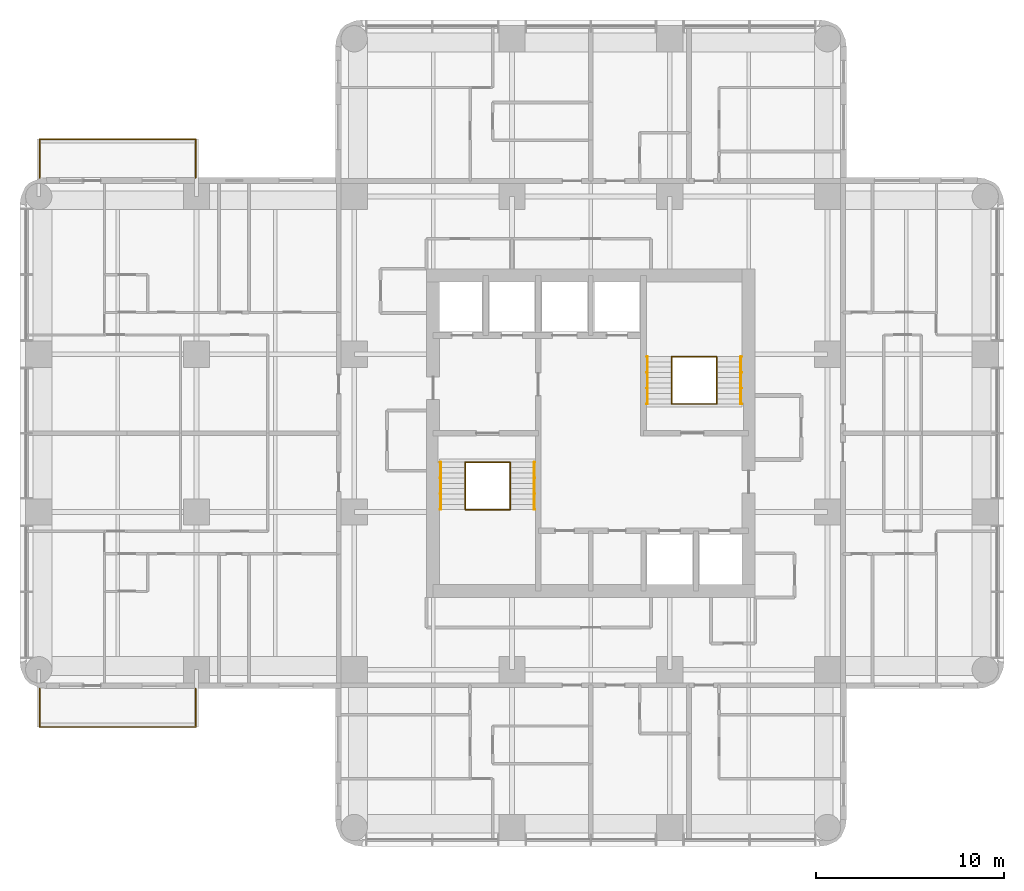
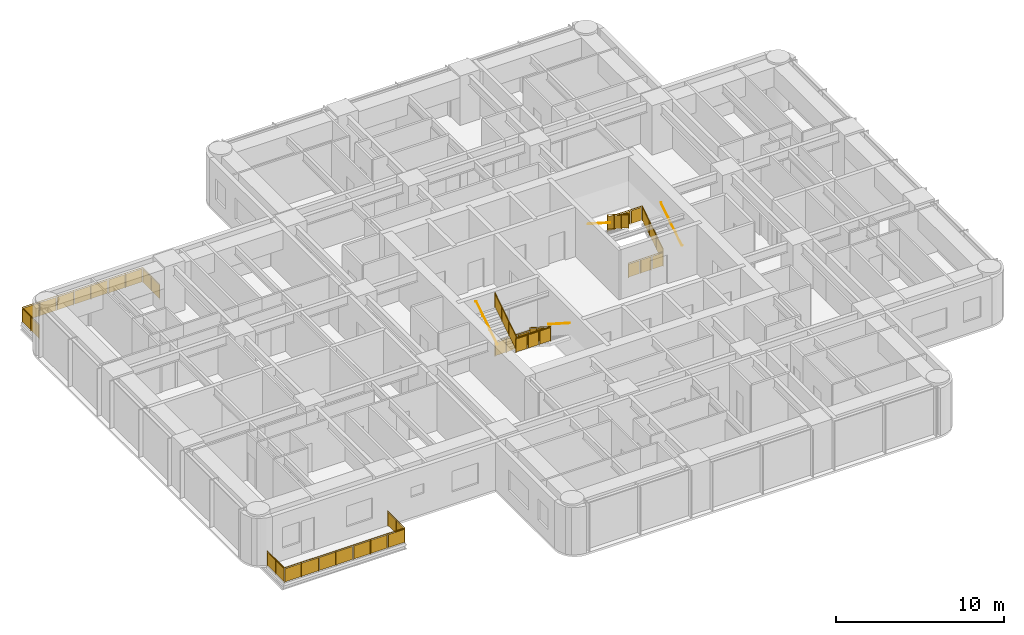
# One storey, part 11 of 11: 14 railings.
"""IFC4 building model written with IfcOpenShell, lengths in metres."""

from ifc_helpers import new_model, si_unit, direction, frame, origin, origin_2d, place, context, subcontext, project, spatial, polyline, circle, outline, extrude, material, constituent, constituent_set, type_object, element, save


model = new_model("IFC4")

# Units and contexts
model_context = context("Model", 3, precision=1e-05, world=origin(), true_north=direction((0.0, 1.0)))
body_context = subcontext(model_context, "Body", "Model", "MODEL_VIEW")
ifc_project = project(units=[si_unit("LENGTHUNIT", "METRE"), si_unit("AREAUNIT", "SQUARE_METRE"), si_unit("VOLUMEUNIT", "CUBIC_METRE"), si_unit("PLANEANGLEUNIT", "RADIAN"), si_unit("MASSUNIT", "GRAM", prefix="KILO")], contexts=[model_context])

# Site, building, storey
site_placement = place(None, origin())
site = spatial("IfcSite", under=ifc_project, at=site_placement, CompositionType="ELEMENT")
building_placement = place(site_placement, origin())
building = spatial("IfcBuilding", under=site, at=building_placement, Name="Torre Alcanfor", CompositionType="ELEMENT")
storey_placement = place(building_placement, frame((0.0, 0.0, 201.300048828125)))
storey = spatial("IfcBuildingStorey", under=building, at=storey_placement, Name="L52", CompositionType="ELEMENT", Elevation=201.300048828125)

# Railings
ifc_material_1 = material(Name="Laminated safety glass", Category="glass")
ifc_constituent_1 = constituent(ifc_material_1, Name="Infill")
ifc_material_2 = material(Name="Stainless steel ASTM A554 Grade MT 316L tube", Category="steel")
ifc_constituent_2 = constituent(ifc_material_2, Name="Posts and rail")
ifc_constituent_set = constituent_set(constituents=[ifc_constituent_1, ifc_constituent_2], Name="Balcony guard glass 1100")
railing_type_1 = type_object("IfcRailingType", Name="Balcony guard glass 1100", PredefinedType="BALUSTRADE", material=ifc_constituent_set)
railing_1_placement = place(storey_placement, frame((8.35009765625, 15.800048828125, 0.0)))
element("IfcRailing", 1, at=railing_1_placement, inside=storey, type_object=railing_type_1, Name="Balcony guard L52-W1", PredefinedType="BALUSTRADE", context=body_context, shape_type="SweptSolid", body=[
    extrude(circle(Radius=0.02392578125, at=origin_2d()), frame((0.0, 0.0, 1.076171875), z_axis=(0.0, -1.0, 0.0), x_axis=(1.0, 0.0, 0.0)), (0.0, 0.0, 1.0), 2.050048828125),
    extrude(circle(Radius=0.02392578125, at=origin_2d()), frame((0.0, -2.050048828125, 1.076171875), z_axis=(-1.0, 0.0, 0.0), x_axis=(0.0, -1.0, 0.0)), (0.0, 0.0, 1.0), 8.300048828125),
    extrude(circle(Radius=0.02392578125, at=origin_2d()), frame((-8.300048828125, -2.050048828125, 1.076171875), z_axis=(0.0, 1.0, 0.0), x_axis=(-1.0, 0.0, 0.0)), (0.0, 0.0, 1.0), 2.050048828125),
    extrude(circle(Radius=0.02099609375, at=origin_2d()), origin(), (0.0, 0.0, 1.0), 1.052001953125),
    extrude(circle(Radius=0.02099609375, at=origin_2d()), frame((0.0, -1.02490234375, 0.0)), (0.0, 0.0, 1.0), 1.052001953125),
    extrude(circle(Radius=0.02099609375, at=origin_2d()), frame((0.0, -2.050048828125, 0.0)), (0.0, 0.0, 1.0), 1.052001953125),
    extrude(circle(Radius=0.02099609375, at=origin_2d()), frame((-1.185791015625, -2.050048828125, 0.0)), (0.0, 0.0, 1.0), 1.052001953125),
    extrude(circle(Radius=0.02099609375, at=origin_2d()), frame((-2.371337890625, -2.050048828125, 0.0)), (0.0, 0.0, 1.0), 1.052001953125),
    extrude(circle(Radius=0.02099609375, at=origin_2d()), frame((-3.55712890625, -2.050048828125, 0.0)), (0.0, 0.0, 1.0), 1.052001953125),
    extrude(circle(Radius=0.02099609375, at=origin_2d()), frame((-4.742919921875, -2.050048828125, 0.0)), (0.0, 0.0, 1.0), 1.052001953125),
    extrude(circle(Radius=0.02099609375, at=origin_2d()), frame((-5.9287109375, -2.050048828125, 0.0)), (0.0, 0.0, 1.0), 1.052001953125),
    extrude(circle(Radius=0.02099609375, at=origin_2d()), frame((-7.1142578125, -2.050048828125, 0.0)), (0.0, 0.0, 1.0), 1.052001953125),
    extrude(circle(Radius=0.02099609375, at=origin_2d()), frame((-8.300048828125, -2.050048828125, 0.0)), (0.0, 0.0, 1.0), 1.052001953125),
    extrude(circle(Radius=0.02099609375, at=origin_2d()), frame((-8.300048828125, -1.02490234375, 0.0)), (0.0, 0.0, 1.0), 1.052001953125),
    extrude(circle(Radius=0.02099609375, at=origin_2d()), frame((-8.300048828125, 0.0, 0.0)), (0.0, 0.0, 1.0), 1.052001953125),
    extrude(outline(polyline([(0.041015625, 0.050048828125), (0.984130859375, 0.050048828125), (0.984130859375, 1.001953125), (0.041015625, 1.001953125), (0.041015625, 0.050048828125)])), frame((0.005859375, 0.0, 0.0), z_axis=(-1.0, 0.0, 0.0), x_axis=(0.0, -1.0, 0.0)), (0.0, 0.0, 1.0), 0.011962890625),
    extrude(outline(polyline([(1.06591796875, 0.050048828125), (2.009033203125, 0.050048828125), (2.009033203125, 1.001953125), (1.06591796875, 1.001953125), (1.06591796875, 0.050048828125)])), frame((0.005859375, 0.0, 0.0), z_axis=(-1.0, 0.0, 0.0), x_axis=(0.0, -1.0, 0.0)), (0.0, 0.0, 1.0), 0.011962890625),
    extrude(outline(polyline([(0.041015625, 0.050048828125), (1.144775390625, 0.050048828125), (1.144775390625, 1.001953125), (0.041015625, 1.001953125), (0.041015625, 0.050048828125)])), frame((0.0, -2.05615234375, 0.0), z_axis=(0.0, 1.0, 0.0), x_axis=(-1.0, 0.0, 0.0)), (0.0, 0.0, 1.0), 0.011962890625),
    extrude(outline(polyline([(1.226806640625, 0.050048828125), (2.330322265625, 0.050048828125), (2.330322265625, 1.001953125), (1.226806640625, 1.001953125), (1.226806640625, 0.050048828125)])), frame((0.0, -2.05615234375, 0.0), z_axis=(0.0, 1.0, 0.0), x_axis=(-1.0, 0.0, 0.0)), (0.0, 0.0, 1.0), 0.011962890625),
    extrude(outline(polyline([(2.412353515625, 0.050048828125), (3.51611328125, 0.050048828125), (3.51611328125, 1.001953125), (2.412353515625, 1.001953125), (2.412353515625, 0.050048828125)])), frame((0.0, -2.05615234375, 0.0), z_axis=(0.0, 1.0, 0.0), x_axis=(-1.0, 0.0, 0.0)), (0.0, 0.0, 1.0), 0.011962890625),
    extrude(outline(polyline([(3.59814453125, 0.050048828125), (4.701904296875, 0.050048828125), (4.701904296875, 1.001953125), (3.59814453125, 1.001953125), (3.59814453125, 0.050048828125)])), frame((0.0, -2.05615234375, 0.0), z_axis=(0.0, 1.0, 0.0), x_axis=(-1.0, 0.0, 0.0)), (0.0, 0.0, 1.0), 0.011962890625),
    extrude(outline(polyline([(4.783935546875, 0.050048828125), (5.8876953125, 0.050048828125), (5.8876953125, 1.001953125), (4.783935546875, 1.001953125), (4.783935546875, 0.050048828125)])), frame((0.0, -2.05615234375, 0.0), z_axis=(0.0, 1.0, 0.0), x_axis=(-1.0, 0.0, 0.0)), (0.0, 0.0, 1.0), 0.011962890625),
    extrude(outline(polyline([(5.9697265625, 0.050048828125), (7.0732421875, 0.050048828125), (7.0732421875, 1.001953125), (5.9697265625, 1.001953125), (5.9697265625, 0.050048828125)])), frame((0.0, -2.05615234375, 0.0), z_axis=(0.0, 1.0, 0.0), x_axis=(-1.0, 0.0, 0.0)), (0.0, 0.0, 1.0), 0.011962890625),
    extrude(outline(polyline([(7.1552734375, 0.050048828125), (8.259033203125, 0.050048828125), (8.259033203125, 1.001953125), (7.1552734375, 1.001953125), (7.1552734375, 0.050048828125)])), frame((0.0, -2.05615234375, 0.0), z_axis=(0.0, 1.0, 0.0), x_axis=(-1.0, 0.0, 0.0)), (0.0, 0.0, 1.0), 0.011962890625),
    extrude(outline(polyline([(0.041015625, 0.050048828125), (0.984130859375, 0.050048828125), (0.984130859375, 1.001953125), (0.041015625, 1.001953125), (0.041015625, 0.050048828125)])), frame((-8.30615234375, -2.050048828125, 0.0), z_axis=(1.0, 0.0, 0.0), x_axis=(0.0, 1.0, 0.0)), (0.0, 0.0, 1.0), 0.011962890625),
    extrude(outline(polyline([(1.06591796875, 0.050048828125), (2.009033203125, 0.050048828125), (2.009033203125, 1.001953125), (1.06591796875, 1.001953125), (1.06591796875, 0.050048828125)])), frame((-8.30615234375, -2.050048828125, 0.0), z_axis=(1.0, 0.0, 0.0), x_axis=(0.0, 1.0, 0.0)), (0.0, 0.0, 1.0), 0.011962890625),
])
railing_2_placement = place(storey_placement, frame((8.35009765625, 43.0, 0.0)))
element("IfcRailing", 2, at=railing_2_placement, inside=storey, type_object=railing_type_1, Name="Balcony guard L52-W2", PredefinedType="BALUSTRADE", context=body_context, shape_type="SweptSolid", body=[
    extrude(circle(Radius=0.02392578125, at=origin_2d()), frame((0.0, 0.0, 1.076171875), z_axis=(0.0, 1.0, 0.0), x_axis=(-1.0, 0.0, 0.0)), (0.0, 0.0, 1.0), 2.050048828125),
    extrude(circle(Radius=0.02392578125, at=origin_2d()), frame((0.0, 2.050048828125, 1.076171875), z_axis=(-1.0, 0.0, 0.0), x_axis=(0.0, -1.0, 0.0)), (0.0, 0.0, 1.0), 8.300048828125),
    extrude(circle(Radius=0.02392578125, at=origin_2d()), frame((-8.300048828125, 2.050048828125, 1.076171875), z_axis=(0.0, -1.0, 0.0), x_axis=(1.0, 0.0, 0.0)), (0.0, 0.0, 1.0), 2.050048828125),
    extrude(circle(Radius=0.02099609375, at=origin_2d()), origin(), (0.0, 0.0, 1.0), 1.052001953125),
    extrude(circle(Radius=0.02099609375, at=origin_2d()), frame((0.0, 1.02490234375, 0.0)), (0.0, 0.0, 1.0), 1.052001953125),
    extrude(circle(Radius=0.02099609375, at=origin_2d()), frame((0.0, 2.050048828125, 0.0)), (0.0, 0.0, 1.0), 1.052001953125),
    extrude(circle(Radius=0.02099609375, at=origin_2d()), frame((-1.185791015625, 2.050048828125, 0.0)), (0.0, 0.0, 1.0), 1.052001953125),
    extrude(circle(Radius=0.02099609375, at=origin_2d()), frame((-2.371337890625, 2.050048828125, 0.0)), (0.0, 0.0, 1.0), 1.052001953125),
    extrude(circle(Radius=0.02099609375, at=origin_2d()), frame((-3.55712890625, 2.050048828125, 0.0)), (0.0, 0.0, 1.0), 1.052001953125),
    extrude(circle(Radius=0.02099609375, at=origin_2d()), frame((-4.742919921875, 2.050048828125, 0.0)), (0.0, 0.0, 1.0), 1.052001953125),
    extrude(circle(Radius=0.02099609375, at=origin_2d()), frame((-5.9287109375, 2.050048828125, 0.0)), (0.0, 0.0, 1.0), 1.052001953125),
    extrude(circle(Radius=0.02099609375, at=origin_2d()), frame((-7.1142578125, 2.050048828125, 0.0)), (0.0, 0.0, 1.0), 1.052001953125),
    extrude(circle(Radius=0.02099609375, at=origin_2d()), frame((-8.300048828125, 2.050048828125, 0.0)), (0.0, 0.0, 1.0), 1.052001953125),
    extrude(circle(Radius=0.02099609375, at=origin_2d()), frame((-8.300048828125, 1.02490234375, 0.0)), (0.0, 0.0, 1.0), 1.052001953125),
    extrude(circle(Radius=0.02099609375, at=origin_2d()), frame((-8.300048828125, 0.0, 0.0)), (0.0, 0.0, 1.0), 1.052001953125),
    extrude(outline(polyline([(0.041015625, 0.050048828125), (0.984130859375, 0.050048828125), (0.984130859375, 1.001953125), (0.041015625, 1.001953125), (0.041015625, 0.050048828125)])), frame((-0.005859375, 0.0, 0.0), z_axis=(1.0, 0.0, 0.0), x_axis=(0.0, 1.0, 0.0)), (0.0, 0.0, 1.0), 0.011962890625),
    extrude(outline(polyline([(1.06591796875, 0.050048828125), (2.009033203125, 0.050048828125), (2.009033203125, 1.001953125), (1.06591796875, 1.001953125), (1.06591796875, 0.050048828125)])), frame((-0.005859375, 0.0, 0.0), z_axis=(1.0, 0.0, 0.0), x_axis=(0.0, 1.0, 0.0)), (0.0, 0.0, 1.0), 0.011962890625),
    extrude(outline(polyline([(0.041015625, 0.050048828125), (1.144775390625, 0.050048828125), (1.144775390625, 1.001953125), (0.041015625, 1.001953125), (0.041015625, 0.050048828125)])), frame((0.0, 2.0439453125, 0.0), z_axis=(0.0, 1.0, 0.0), x_axis=(-1.0, 0.0, 0.0)), (0.0, 0.0, 1.0), 0.011962890625),
    extrude(outline(polyline([(1.226806640625, 0.050048828125), (2.330322265625, 0.050048828125), (2.330322265625, 1.001953125), (1.226806640625, 1.001953125), (1.226806640625, 0.050048828125)])), frame((0.0, 2.0439453125, 0.0), z_axis=(0.0, 1.0, 0.0), x_axis=(-1.0, 0.0, 0.0)), (0.0, 0.0, 1.0), 0.011962890625),
    extrude(outline(polyline([(2.412353515625, 0.050048828125), (3.51611328125, 0.050048828125), (3.51611328125, 1.001953125), (2.412353515625, 1.001953125), (2.412353515625, 0.050048828125)])), frame((0.0, 2.0439453125, 0.0), z_axis=(0.0, 1.0, 0.0), x_axis=(-1.0, 0.0, 0.0)), (0.0, 0.0, 1.0), 0.011962890625),
    extrude(outline(polyline([(3.59814453125, 0.050048828125), (4.701904296875, 0.050048828125), (4.701904296875, 1.001953125), (3.59814453125, 1.001953125), (3.59814453125, 0.050048828125)])), frame((0.0, 2.0439453125, 0.0), z_axis=(0.0, 1.0, 0.0), x_axis=(-1.0, 0.0, 0.0)), (0.0, 0.0, 1.0), 0.011962890625),
    extrude(outline(polyline([(4.783935546875, 0.050048828125), (5.8876953125, 0.050048828125), (5.8876953125, 1.001953125), (4.783935546875, 1.001953125), (4.783935546875, 0.050048828125)])), frame((0.0, 2.0439453125, 0.0), z_axis=(0.0, 1.0, 0.0), x_axis=(-1.0, 0.0, 0.0)), (0.0, 0.0, 1.0), 0.011962890625),
    extrude(outline(polyline([(5.9697265625, 0.050048828125), (7.0732421875, 0.050048828125), (7.0732421875, 1.001953125), (5.9697265625, 1.001953125), (5.9697265625, 0.050048828125)])), frame((0.0, 2.0439453125, 0.0), z_axis=(0.0, 1.0, 0.0), x_axis=(-1.0, 0.0, 0.0)), (0.0, 0.0, 1.0), 0.011962890625),
    extrude(outline(polyline([(7.1552734375, 0.050048828125), (8.259033203125, 0.050048828125), (8.259033203125, 1.001953125), (7.1552734375, 1.001953125), (7.1552734375, 0.050048828125)])), frame((0.0, 2.0439453125, 0.0), z_axis=(0.0, 1.0, 0.0), x_axis=(-1.0, 0.0, 0.0)), (0.0, 0.0, 1.0), 0.011962890625),
    extrude(outline(polyline([(0.041015625, 0.050048828125), (0.984130859375, 0.050048828125), (0.984130859375, 1.001953125), (0.041015625, 1.001953125), (0.041015625, 0.050048828125)])), frame((-8.2939453125, 2.050048828125, 0.0), z_axis=(-1.0, 0.0, 0.0), x_axis=(0.0, -1.0, 0.0)), (0.0, 0.0, 1.0), 0.011962890625),
    extrude(outline(polyline([(1.06591796875, 0.050048828125), (2.009033203125, 0.050048828125), (2.009033203125, 1.001953125), (1.06591796875, 1.001953125), (1.06591796875, 0.050048828125)])), frame((-8.2939453125, 2.050048828125, 0.0), z_axis=(-1.0, 0.0, 0.0), x_axis=(0.0, -1.0, 0.0)), (0.0, 0.0, 1.0), 0.011962890625),
])
ifc_material_3 = material(Name="Steel ASTM A500 Grade C hollow sections", Category="steel")
railing_type_2 = type_object("IfcRailingType", Name="Stair guard and handrail 1100", PredefinedType="GUARDRAIL", material=ifc_material_3)
railing_3_placement = place(storey_placement, frame((25.10009765625, 27.85009765625, 0.179931640625)))
element("IfcRailing", 3, at=railing_3_placement, inside=storey, type_object=railing_type_2, Name="Stair guard S1 L52 flight 1", PredefinedType="GUARDRAIL", context=body_context, shape_type="SweptSolid", body=[
    extrude(circle(Radius=0.02392578125, at=origin_2d()), frame((0.0, 0.0, 1.076171875), z_axis=(0.0, -0.841162588446, 0.540782303519), x_axis=(1.0, 0.0, 0.0)), (0.0, 0.0, 1.0), 2.995849609375),
    extrude(circle(Radius=0.02099609375, at=origin_2d()), origin(), (0.0, 0.0, 1.0), 1.052001953125),
    extrude(circle(Radius=0.02099609375, at=origin_2d()), frame((0.0, -0.840087890625, 0.5400390625)), (0.0, 0.0, 1.0), 1.052001953125),
    extrude(circle(Radius=0.02099609375, at=origin_2d()), frame((0.0, -1.679931640625, 1.080078125)), (0.0, 0.0, 1.0), 1.052001953125),
    extrude(circle(Radius=0.02099609375, at=origin_2d()), frame((0.0, -2.52001953125, 1.6201171875)), (0.0, 0.0, 1.0), 1.052001953125),
    extrude(outline(polyline([(0.041015625, 0.076416015625), (0.799072265625, 0.563720703125), (0.799072265625, 1.515625), (0.041015625, 1.0283203125), (0.041015625, 0.076416015625)])), frame((0.005859375, 0.0, 0.0), z_axis=(-1.0, 0.0, 0.0), x_axis=(0.0, -1.0, 0.0)), (0.0, 0.0, 1.0), 0.011962890625),
    extrude(outline(polyline([(0.881103515625, 0.616455078125), (1.638916015625, 1.103759765625), (1.638916015625, 2.0556640625), (0.881103515625, 1.568359375), (0.881103515625, 0.616455078125)])), frame((0.005859375, 0.0, 0.0), z_axis=(-1.0, 0.0, 0.0), x_axis=(0.0, -1.0, 0.0)), (0.0, 0.0, 1.0), 0.011962890625),
    extrude(outline(polyline([(1.720947265625, 1.156494140625), (2.47900390625, 1.643798828125), (2.47900390625, 2.595703125), (1.720947265625, 2.1083984375), (1.720947265625, 1.156494140625)])), frame((0.005859375, 0.0, 0.0), z_axis=(-1.0, 0.0, 0.0), x_axis=(0.0, -1.0, 0.0)), (0.0, 0.0, 1.0), 0.011962890625),
])
railing_4_placement = place(storey_placement, frame((22.699951171875, 25.330078125, 1.97998046875)))
element("IfcRailing", 4, at=railing_4_placement, inside=storey, type_object=railing_type_2, Name="Stair guard S1 L52 flight 2", PredefinedType="GUARDRAIL", context=body_context, shape_type="SweptSolid", body=[
    extrude(circle(Radius=0.02392578125, at=origin_2d()), frame((0.0, 0.0, 1.076171875), z_axis=(0.0, 0.841199657755, 0.540724639528), x_axis=(-1.0, 0.0, 0.0)), (0.0, 0.0, 1.0), 2.995849609375),
    extrude(circle(Radius=0.02099609375, at=origin_2d()), origin(), (0.0, 0.0, 1.0), 1.052001953125),
    extrude(circle(Radius=0.02099609375, at=origin_2d()), frame((0.0, 0.840087890625, 0.5400390625)), (0.0, 0.0, 1.0), 1.052001953125),
    extrude(circle(Radius=0.02099609375, at=origin_2d()), frame((0.0, 1.679931640625, 1.079833984375)), (0.0, 0.0, 1.0), 1.052001953125),
    extrude(circle(Radius=0.02099609375, at=origin_2d()), frame((0.0, 2.52001953125, 1.619873046875)), (0.0, 0.0, 1.0), 1.052001953125),
    extrude(outline(polyline([(0.041015625, 0.076416015625), (0.799072265625, 0.563720703125), (0.799072265625, 1.515625), (0.041015625, 1.0283203125), (0.041015625, 0.076416015625)])), frame((-0.005859375, 0.0, 0.0), z_axis=(1.0, 0.0, 0.0), x_axis=(0.0, 1.0, 0.0)), (0.0, 0.0, 1.0), 0.011962890625),
    extrude(outline(polyline([(0.881103515625, 0.6162109375), (1.638916015625, 1.103515625), (1.638916015625, 2.0556640625), (0.881103515625, 1.568359375), (0.881103515625, 0.6162109375)])), frame((-0.005859375, 0.0, 0.0), z_axis=(1.0, 0.0, 0.0), x_axis=(0.0, 1.0, 0.0)), (0.0, 0.0, 1.0), 0.011962890625),
    extrude(outline(polyline([(1.720947265625, 1.15625), (2.47900390625, 1.6435546875), (2.47900390625, 2.595458984375), (1.720947265625, 2.108154296875), (1.720947265625, 1.15625)])), frame((-0.005859375, 0.0, 0.0), z_axis=(1.0, 0.0, 0.0), x_axis=(0.0, 1.0, 0.0)), (0.0, 0.0, 1.0), 0.011962890625),
])
for number, where, name in (
    (5, (22.699951171875, 27.85009765625, 0.0), "Stair well guard S1 L52 floor landing"),
    (6, (22.699951171875, 25.330078125, 1.800048828125), "Stair well guard S1 L52 half landing"),
):
    element("IfcRailing", number, at=place(storey_placement, frame(where)), inside=storey, type_object=railing_type_2, Name=name, PredefinedType="GUARDRAIL", context=body_context, shape_type="SweptSolid", body=[
        extrude(circle(Radius=0.02392578125, at=origin_2d()), frame((0.0, 0.0, 1.076171875), z_axis=(1.0, 0.0, 0.0), x_axis=(0.0, 1.0, 0.0)), (0.0, 0.0, 1.0), 2.400146484375),
        extrude(circle(Radius=0.02099609375, at=origin_2d()), origin(), (0.0, 0.0, 1.0), 1.052001953125),
        extrude(circle(Radius=0.02099609375, at=origin_2d()), frame((0.800048828125, 0.0, 0.0)), (0.0, 0.0, 1.0), 1.052001953125),
        extrude(circle(Radius=0.02099609375, at=origin_2d()), frame((1.60009765625, 0.0, 0.0)), (0.0, 0.0, 1.0), 1.052001953125),
        extrude(circle(Radius=0.02099609375, at=origin_2d()), frame((2.400146484375, 0.0, 0.0)), (0.0, 0.0, 1.0), 1.052001953125),
        extrude(outline(polyline([(0.041015625, 0.050048828125), (0.759033203125, 0.050048828125), (0.759033203125, 1.001953125), (0.041015625, 1.001953125), (0.041015625, 0.050048828125)])), frame((0.0, 0.005859375, 0.0), z_axis=(0.0, -1.0, 0.0), x_axis=(1.0, 0.0, 0.0)), (0.0, 0.0, 1.0), 0.011962890625),
        extrude(outline(polyline([(0.841064453125, 0.050048828125), (1.55908203125, 0.050048828125), (1.55908203125, 1.001953125), (0.841064453125, 1.001953125), (0.841064453125, 0.050048828125)])), frame((0.0, 0.005859375, 0.0), z_axis=(0.0, -1.0, 0.0), x_axis=(1.0, 0.0, 0.0)), (0.0, 0.0, 1.0), 0.011962890625),
        extrude(outline(polyline([(1.64111328125, 0.050048828125), (2.359130859375, 0.050048828125), (2.359130859375, 1.001953125), (1.64111328125, 1.001953125), (1.64111328125, 0.050048828125)])), frame((0.0, 0.005859375, 0.0), z_axis=(0.0, -1.0, 0.0), x_axis=(1.0, 0.0, 0.0)), (0.0, 0.0, 1.0), 0.011962890625),
    ])
railing_5_placement = place(storey_placement, frame((36.10009765625, 30.949951171875, 0.179931640625)))
element("IfcRailing", 7, at=railing_5_placement, inside=storey, type_object=railing_type_2, Name="Stair guard S2 L52 flight 1", PredefinedType="GUARDRAIL", context=body_context, shape_type="SweptSolid", body=[
    extrude(circle(Radius=0.02392578125, at=origin_2d()), frame((0.0, 0.0, 1.076171875), z_axis=(0.0, 0.841162588446, 0.540782303519), x_axis=(-1.0, 0.0, 0.0)), (0.0, 0.0, 1.0), 2.995849609375),
    extrude(circle(Radius=0.02099609375, at=origin_2d()), origin(), (0.0, 0.0, 1.0), 1.052001953125),
    extrude(circle(Radius=0.02099609375, at=origin_2d()), frame((0.0, 0.840087890625, 0.5400390625)), (0.0, 0.0, 1.0), 1.052001953125),
    extrude(circle(Radius=0.02099609375, at=origin_2d()), frame((0.0, 1.679931640625, 1.080078125)), (0.0, 0.0, 1.0), 1.052001953125),
    extrude(circle(Radius=0.02099609375, at=origin_2d()), frame((0.0, 2.52001953125, 1.6201171875)), (0.0, 0.0, 1.0), 1.052001953125),
    extrude(outline(polyline([(0.041015625, 0.076416015625), (0.799072265625, 0.563720703125), (0.799072265625, 1.515625), (0.041015625, 1.0283203125), (0.041015625, 0.076416015625)])), frame((-0.005859375, 0.0, 0.0), z_axis=(1.0, 0.0, 0.0), x_axis=(0.0, 1.0, 0.0)), (0.0, 0.0, 1.0), 0.011962890625),
    extrude(outline(polyline([(0.881103515625, 0.616455078125), (1.638916015625, 1.103759765625), (1.638916015625, 2.0556640625), (0.881103515625, 1.568359375), (0.881103515625, 0.616455078125)])), frame((-0.005859375, 0.0, 0.0), z_axis=(1.0, 0.0, 0.0), x_axis=(0.0, 1.0, 0.0)), (0.0, 0.0, 1.0), 0.011962890625),
    extrude(outline(polyline([(1.720947265625, 1.156494140625), (2.47900390625, 1.643798828125), (2.47900390625, 2.595703125), (1.720947265625, 2.1083984375), (1.720947265625, 1.156494140625)])), frame((-0.005859375, 0.0, 0.0), z_axis=(1.0, 0.0, 0.0), x_axis=(0.0, 1.0, 0.0)), (0.0, 0.0, 1.0), 0.011962890625),
])
railing_6_placement = place(storey_placement, frame((33.699951171875, 33.469970703125, 1.97998046875)))
element("IfcRailing", 8, at=railing_6_placement, inside=storey, type_object=railing_type_2, Name="Stair guard S2 L52 flight 2", PredefinedType="GUARDRAIL", context=body_context, shape_type="SweptSolid", body=[
    extrude(circle(Radius=0.02392578125, at=origin_2d()), frame((0.0, 0.0, 1.076171875), z_axis=(0.0, -0.841199657755, 0.540724639528), x_axis=(1.0, 0.0, 0.0)), (0.0, 0.0, 1.0), 2.995849609375),
    extrude(circle(Radius=0.02099609375, at=origin_2d()), origin(), (0.0, 0.0, 1.0), 1.052001953125),
    extrude(circle(Radius=0.02099609375, at=origin_2d()), frame((0.0, -0.840087890625, 0.5400390625)), (0.0, 0.0, 1.0), 1.052001953125),
    extrude(circle(Radius=0.02099609375, at=origin_2d()), frame((0.0, -1.679931640625, 1.079833984375)), (0.0, 0.0, 1.0), 1.052001953125),
    extrude(circle(Radius=0.02099609375, at=origin_2d()), frame((0.0, -2.52001953125, 1.619873046875)), (0.0, 0.0, 1.0), 1.052001953125),
    extrude(outline(polyline([(0.041015625, 0.076416015625), (0.799072265625, 0.563720703125), (0.799072265625, 1.515625), (0.041015625, 1.0283203125), (0.041015625, 0.076416015625)])), frame((0.005859375, 0.0, 0.0), z_axis=(-1.0, 0.0, 0.0), x_axis=(0.0, -1.0, 0.0)), (0.0, 0.0, 1.0), 0.011962890625),
    extrude(outline(polyline([(0.881103515625, 0.6162109375), (1.638916015625, 1.103515625), (1.638916015625, 2.0556640625), (0.881103515625, 1.568359375), (0.881103515625, 0.6162109375)])), frame((0.005859375, 0.0, 0.0), z_axis=(-1.0, 0.0, 0.0), x_axis=(0.0, -1.0, 0.0)), (0.0, 0.0, 1.0), 0.011962890625),
    extrude(outline(polyline([(1.720947265625, 1.15625), (2.47900390625, 1.6435546875), (2.47900390625, 2.595458984375), (1.720947265625, 2.108154296875), (1.720947265625, 1.15625)])), frame((0.005859375, 0.0, 0.0), z_axis=(-1.0, 0.0, 0.0), x_axis=(0.0, -1.0, 0.0)), (0.0, 0.0, 1.0), 0.011962890625),
])
for number, where, name in (
    (9, (33.699951171875, 30.949951171875, 0.0), "Stair well guard S2 L52 floor landing"),
    (10, (33.699951171875, 33.469970703125, 1.800048828125), "Stair well guard S2 L52 half landing"),
):
    element("IfcRailing", number, at=place(storey_placement, frame(where)), inside=storey, type_object=railing_type_2, Name=name, PredefinedType="GUARDRAIL", context=body_context, shape_type="SweptSolid", body=[
        extrude(circle(Radius=0.02392578125, at=origin_2d()), frame((0.0, 0.0, 1.076171875), z_axis=(1.0, 0.0, 0.0), x_axis=(0.0, 1.0, 0.0)), (0.0, 0.0, 1.0), 2.400146484375),
        extrude(circle(Radius=0.02099609375, at=origin_2d()), origin(), (0.0, 0.0, 1.0), 1.052001953125),
        extrude(circle(Radius=0.02099609375, at=origin_2d()), frame((0.800048828125, 0.0, 0.0)), (0.0, 0.0, 1.0), 1.052001953125),
        extrude(circle(Radius=0.02099609375, at=origin_2d()), frame((1.60009765625, 0.0, 0.0)), (0.0, 0.0, 1.0), 1.052001953125),
        extrude(circle(Radius=0.02099609375, at=origin_2d()), frame((2.400146484375, 0.0, 0.0)), (0.0, 0.0, 1.0), 1.052001953125),
        extrude(outline(polyline([(0.041015625, 0.050048828125), (0.759033203125, 0.050048828125), (0.759033203125, 1.001953125), (0.041015625, 1.001953125), (0.041015625, 0.050048828125)])), frame((0.0, 0.005859375, 0.0), z_axis=(0.0, -1.0, 0.0), x_axis=(1.0, 0.0, 0.0)), (0.0, 0.0, 1.0), 0.011962890625),
        extrude(outline(polyline([(0.841064453125, 0.050048828125), (1.55908203125, 0.050048828125), (1.55908203125, 1.001953125), (0.841064453125, 1.001953125), (0.841064453125, 0.050048828125)])), frame((0.0, 0.005859375, 0.0), z_axis=(0.0, -1.0, 0.0), x_axis=(1.0, 0.0, 0.0)), (0.0, 0.0, 1.0), 0.011962890625),
        extrude(outline(polyline([(1.64111328125, 0.050048828125), (2.359130859375, 0.050048828125), (2.359130859375, 1.001953125), (1.64111328125, 1.001953125), (1.64111328125, 0.050048828125)])), frame((0.0, 0.005859375, 0.0), z_axis=(0.0, -1.0, 0.0), x_axis=(1.0, 0.0, 0.0)), (0.0, 0.0, 1.0), 0.011962890625),
    ])
ifc_material_4 = material(Name="Steel ASTM A500 Grade C hollow sections", Category="steel")
railing_type_3 = type_object("IfcRailingType", Name="Stair wall handrail 900", PredefinedType="HANDRAIL", material=ifc_material_4)
railing_7_placement = place(storey_placement, frame((26.385009765625, 27.85009765625, 0.179931640625)))
element("IfcRailing", 11, at=railing_7_placement, inside=storey, type_object=railing_type_3, Name="Stair handrail S1 L52 flight 1", PredefinedType="HANDRAIL", context=body_context, shape_type="SweptSolid", body=[
    extrude(circle(Radius=0.02392578125, at=origin_2d()), frame((0.0, 0.0, 0.8759765625), z_axis=(0.0, -0.841162588446, 0.540782303519), x_axis=(1.0, 0.0, 0.0)), (0.0, 0.0, 1.0), 2.995849609375),
    extrude(circle(Radius=0.008056640625, at=origin_2d()), frame((0.0, 0.0, 0.8759765625), z_axis=(1.0, 0.0, 0.0), x_axis=(0.0, 0.0, 1.0)), (0.0, 0.0, 1.0), 0.06494140625),
    extrude(circle(Radius=0.008056640625, at=origin_2d()), frame((0.0, -0.840087890625, 1.416015625), z_axis=(1.0, 0.0, 0.0), x_axis=(0.0, 0.0, 1.0)), (0.0, 0.0, 1.0), 0.06494140625),
    extrude(circle(Radius=0.008056640625, at=origin_2d()), frame((0.0, -1.679931640625, 1.9560546875), z_axis=(1.0, 0.0, 0.0), x_axis=(0.0, 0.0, 1.0)), (0.0, 0.0, 1.0), 0.06494140625),
    extrude(circle(Radius=0.008056640625, at=origin_2d()), frame((0.0, -2.52001953125, 2.49609375), z_axis=(1.0, 0.0, 0.0), x_axis=(0.0, 0.0, 1.0)), (0.0, 0.0, 1.0), 0.06494140625),
])
railing_8_placement = place(storey_placement, frame((21.4150390625, 25.330078125, 1.97998046875)))
element("IfcRailing", 12, at=railing_8_placement, inside=storey, type_object=railing_type_3, Name="Stair handrail S1 L52 flight 2", PredefinedType="HANDRAIL", context=body_context, shape_type="SweptSolid", body=[
    extrude(circle(Radius=0.02392578125, at=origin_2d()), frame((0.0, 0.0, 0.8759765625), z_axis=(0.0, 0.841199657755, 0.540724639528), x_axis=(-1.0, 0.0, 0.0)), (0.0, 0.0, 1.0), 2.995849609375),
    extrude(circle(Radius=0.008056640625, at=origin_2d()), frame((0.0, 0.0, 0.8759765625), z_axis=(-1.0, 0.0, 0.0), x_axis=(0.0, 0.0, 1.0)), (0.0, 0.0, 1.0), 0.06494140625),
    extrude(circle(Radius=0.008056640625, at=origin_2d()), frame((0.0, 0.840087890625, 1.415771484375), z_axis=(-1.0, 0.0, 0.0), x_axis=(0.0, 0.0, 1.0)), (0.0, 0.0, 1.0), 0.06494140625),
    extrude(circle(Radius=0.008056640625, at=origin_2d()), frame((0.0, 1.679931640625, 1.955810546875), z_axis=(-1.0, 0.0, 0.0), x_axis=(0.0, 0.0, 1.0)), (0.0, 0.0, 1.0), 0.06494140625),
    extrude(circle(Radius=0.008056640625, at=origin_2d()), frame((0.0, 2.52001953125, 2.49560546875), z_axis=(-1.0, 0.0, 0.0), x_axis=(0.0, 0.0, 1.0)), (0.0, 0.0, 1.0), 0.06494140625),
])
railing_9_placement = place(storey_placement, frame((37.385009765625, 30.949951171875, 0.179931640625)))
element("IfcRailing", 13, at=railing_9_placement, inside=storey, type_object=railing_type_3, Name="Stair handrail S2 L52 flight 1", PredefinedType="HANDRAIL", context=body_context, shape_type="SweptSolid", body=[
    extrude(circle(Radius=0.02392578125, at=origin_2d()), frame((0.0, 0.0, 0.8759765625), z_axis=(0.0, 0.841162588446, 0.540782303519), x_axis=(-1.0, 0.0, 0.0)), (0.0, 0.0, 1.0), 2.995849609375),
    extrude(circle(Radius=0.008056640625, at=origin_2d()), frame((0.0, 0.0, 0.8759765625), z_axis=(1.0, 0.0, 0.0), x_axis=(0.0, 0.0, 1.0)), (0.0, 0.0, 1.0), 0.06494140625),
    extrude(circle(Radius=0.008056640625, at=origin_2d()), frame((0.0, 0.840087890625, 1.416015625), z_axis=(1.0, 0.0, 0.0), x_axis=(0.0, 0.0, 1.0)), (0.0, 0.0, 1.0), 0.06494140625),
    extrude(circle(Radius=0.008056640625, at=origin_2d()), frame((0.0, 1.679931640625, 1.9560546875), z_axis=(1.0, 0.0, 0.0), x_axis=(0.0, 0.0, 1.0)), (0.0, 0.0, 1.0), 0.06494140625),
    extrude(circle(Radius=0.008056640625, at=origin_2d()), frame((0.0, 2.52001953125, 2.49609375), z_axis=(1.0, 0.0, 0.0), x_axis=(0.0, 0.0, 1.0)), (0.0, 0.0, 1.0), 0.06494140625),
])
railing_10_placement = place(storey_placement, frame((32.4150390625, 33.469970703125, 1.97998046875)))
element("IfcRailing", 14, at=railing_10_placement, inside=storey, type_object=railing_type_3, Name="Stair handrail S2 L52 flight 2", PredefinedType="HANDRAIL", context=body_context, shape_type="SweptSolid", body=[
    extrude(circle(Radius=0.02392578125, at=origin_2d()), frame((0.0, 0.0, 0.8759765625), z_axis=(0.0, -0.841199657755, 0.540724639528), x_axis=(1.0, 0.0, 0.0)), (0.0, 0.0, 1.0), 2.995849609375),
    extrude(circle(Radius=0.008056640625, at=origin_2d()), frame((0.0, 0.0, 0.8759765625), z_axis=(-1.0, 0.0, 0.0), x_axis=(0.0, 0.0, 1.0)), (0.0, 0.0, 1.0), 0.06494140625),
    extrude(circle(Radius=0.008056640625, at=origin_2d()), frame((0.0, -0.840087890625, 1.415771484375), z_axis=(-1.0, 0.0, 0.0), x_axis=(0.0, 0.0, 1.0)), (0.0, 0.0, 1.0), 0.06494140625),
    extrude(circle(Radius=0.008056640625, at=origin_2d()), frame((0.0, -1.679931640625, 1.955810546875), z_axis=(-1.0, 0.0, 0.0), x_axis=(0.0, 0.0, 1.0)), (0.0, 0.0, 1.0), 0.06494140625),
    extrude(circle(Radius=0.008056640625, at=origin_2d()), frame((0.0, -2.52001953125, 2.49560546875), z_axis=(-1.0, 0.0, 0.0), x_axis=(0.0, 0.0, 1.0)), (0.0, 0.0, 1.0), 0.06494140625),
])

save(model, "model.ifc")
